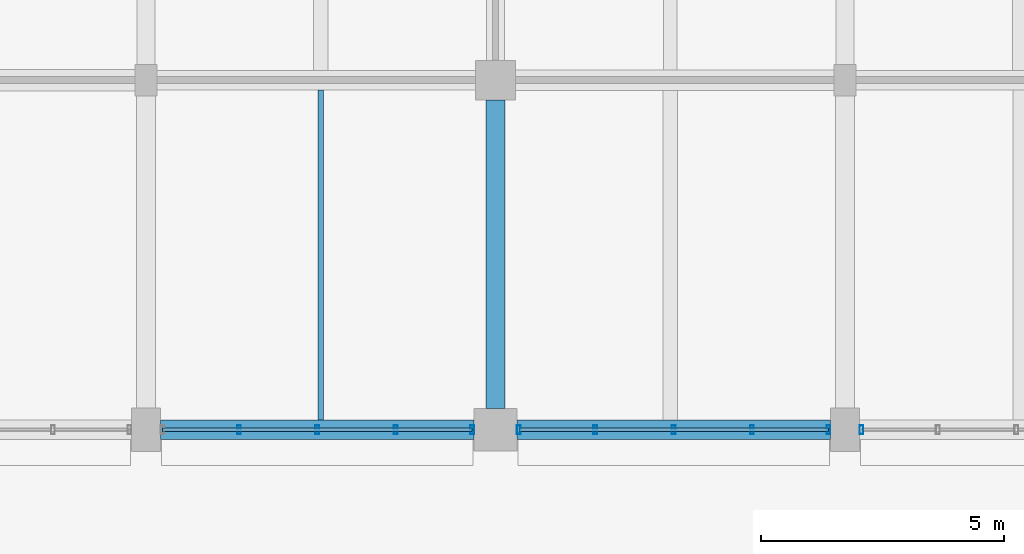
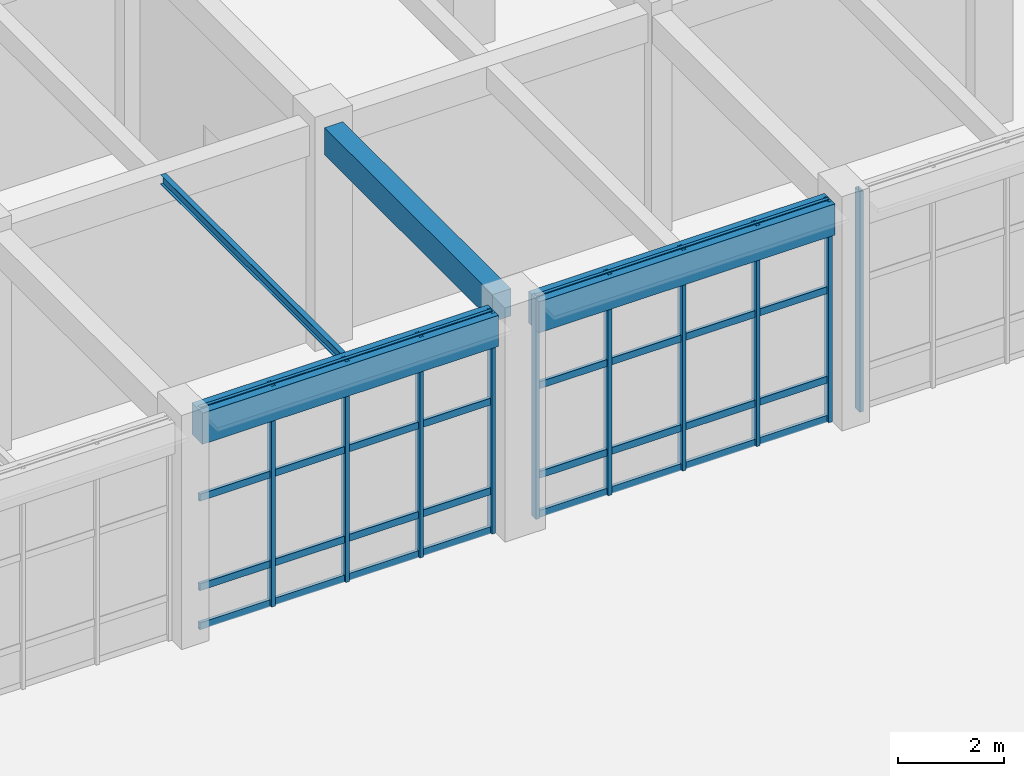
# One storey, part 85 of 160: 18 members, 4 beams, 3 elements without a shape of their own.
"""IFC4 building model written with IfcOpenShell, lengths in metres."""

from ifc_helpers import new_model, si_unit, direction, frame, origin, origin_2d, place, context, subcontext, project, spatial, rectangle, hollow_rectangle, i_section, extrude, material, material_profile, profile_set, type_object, element, aggregate, save


model = new_model("IFC4")

# Units and contexts
model_context = context("Model", 3, precision=1e-05, world=origin(), true_north=direction((0.0, 1.0)))
body_context = subcontext(model_context, "Body", "Model", "MODEL_VIEW")
ifc_project = project(units=[si_unit("LENGTHUNIT", "METRE"), si_unit("AREAUNIT", "SQUARE_METRE"), si_unit("VOLUMEUNIT", "CUBIC_METRE"), si_unit("PLANEANGLEUNIT", "RADIAN"), si_unit("MASSUNIT", "GRAM", prefix="KILO")], contexts=[model_context])

# Site, building, storey
site_placement = place(None, origin())
site = spatial("IfcSite", under=ifc_project, at=site_placement, CompositionType="ELEMENT")
building_placement = place(site_placement, origin())
building = spatial("IfcBuilding", under=site, at=building_placement, Name="Thalmaran Polytechnic", CompositionType="ELEMENT")
storey_placement = place(building_placement, origin())
storey = spatial("IfcBuildingStorey", under=building, at=storey_placement, Name="L00", CompositionType="ELEMENT", Elevation=0.0)

# Beams
ifc_material_1 = material(Name="Concrete C40/50", Category="concrete")
ifc_material_profile_1 = material_profile(ifc_material_1, rectangle(XDim=0.39990234375, YDim=0.6298828125, at=origin_2d()), Name="RC 400x630")
ifc_profile_set_1 = profile_set([ifc_material_profile_1], Name="Concrete C40/50")
beam_type_1 = type_object("IfcBeamType", Name="BM-RC07", PredefinedType="BEAM", material=ifc_profile_set_1)
beam_1_placement = place(storey_placement, frame((115.199951171875, 94.0400390625, 4.77490234375), z_axis=(0.0, 1.0, 0.0), x_axis=(-1.0, 0.0, 0.0)))
element("IfcBeam", 1, at=beam_1_placement, inside=storey, type_object=beam_type_1, Name="Grid Beam B07 L00 Y(16,13)", PredefinedType="BEAM", context=body_context, shape_type="SweptSolid", body=[
    extrude(rectangle(XDim=0.39990234375, YDim=0.6298828125, at=origin_2d()), origin(), (0.0, 0.0, 1.0), 6.349853515625),
])
ifc_material_2 = material(Name="Steel S355", Category="steel")
ifc_material_profile_2 = material_profile(ifc_material_2, i_section(OverallWidth=0.110107421875, OverallDepth=0.219970703125, WebThickness=0.005859375, FlangeThickness=0.00927734375, at=origin_2d()), Name="IPE 220")
ifc_profile_set_2 = profile_set([ifc_material_profile_2], Name="Steel S355")
beam_type_2 = type_object("IfcBeamType", Name="BM-SJ04", PredefinedType="JOIST", material=ifc_profile_set_2)
beam_2_placement = place(storey_placement, frame((111.60009765625, 93.800048828125, 4.97998046875), z_axis=(0.0, 1.0, 0.0), x_axis=(-1.0, 0.0, 0.0)))
element("IfcBeam", 2, at=beam_2_placement, inside=storey, type_object=beam_type_2, Name="Secondary Floor Rib SJ04 L00 (15,13)", PredefinedType="JOIST", context=body_context, shape_type="SweptSolid", body=[
    extrude(i_section(OverallWidth=0.110107421875, OverallDepth=0.219970703125, WebThickness=0.005859375, FlangeThickness=0.00927734375, at=origin_2d()), origin(), (0.0, 0.0, 1.0), 6.800048828125),
])
ifc_material_profile_3 = material_profile(ifc_material_1, rectangle(XDim=0.39990234375, YDim=0.719970703125, at=origin_2d()), Name="RC 400x720")
ifc_profile_set_3 = profile_set([ifc_material_profile_3], Name="Concrete C40/50")
beam_type_3 = type_object("IfcBeamType", Name="BM-SP01", PredefinedType="SPANDREL", material=ifc_profile_set_3)
beam_3_placement = place(storey_placement, frame((108.300048828125, 93.60009765625, 4.72998046875), z_axis=(1.0, 0.0, 0.0), x_axis=(0.0, 1.0, 0.0)))
element("IfcBeam", 3, at=beam_3_placement, inside=storey, type_object=beam_type_3, Name="Grid Beam SP01 L00 X(15,13)", PredefinedType="SPANDREL", context=body_context, shape_type="SweptSolid", body=[
    extrude(rectangle(XDim=0.39990234375, YDim=0.719970703125, at=origin_2d()), origin(), (0.0, 0.0, 1.0), 6.4599609375),
])
beam_4_placement = place(storey_placement, frame((115.639892578125, 93.60009765625, 4.72998046875), z_axis=(1.0, 0.0, 0.0), x_axis=(0.0, 1.0, 0.0)))
element("IfcBeam", 4, at=beam_4_placement, inside=storey, type_object=beam_type_3, Name="Grid Beam SP01 L00 X(16,13)", PredefinedType="SPANDREL", context=body_context, shape_type="SweptSolid", body=[
    extrude(rectangle(XDim=0.39990234375, YDim=0.719970703125, at=origin_2d()), origin(), (0.0, 0.0, 1.0), 6.460205078125),
])

# Curtain wall, member
ifc_material_3 = material(Name="Aluminium 6063-T6", Category="aluminium")
curtain_wall_type = type_object("IfcCurtainWallType", Name="CW-UC01", PredefinedType="USERDEFINED", material=ifc_material_3)
curtain_wall_1_placement = place(storey_placement, origin())
curtain_wall_1 = element("IfcCurtainWall", 5, at=curtain_wall_1_placement, inside=storey, type_object=curtain_wall_type, Name="Curtain Wall CW-L00-072", ObjectType="UNITISED CURTAIN WALL", PredefinedType="USERDEFINED")
ifc_material_profile_4 = material_profile(ifc_material_3, hollow_rectangle(XDim=0.080078125, YDim=0.179931640625, WallThickness=0.0048828125, at=origin_2d()), Name="RHS 180x80x5.0")
ifc_profile_set_4 = profile_set([ifc_material_profile_4], Name="Aluminium 6063-T6")
member_type_1 = type_object("IfcMemberType", Name="CW-MUL1", PredefinedType="MULLION", material=ifc_profile_set_4)
member_1_placement = place(storey_placement, frame((122.739990234375, 93.60009765625, 0.0), z_axis=(0.0, 0.0, 1.0), x_axis=(1.0, 0.0, 0.0)))
member_1 = element("IfcMember", 6, at=member_1_placement, type_object=member_type_1, Name="CW-L00-072 Mullion 5", PredefinedType="MULLION", context=body_context, shape_type="SweptSolid", body=[
    extrude(hollow_rectangle(XDim=0.080078125, YDim=0.179931640625, WallThickness=0.0048828125, at=origin_2d()), origin(), (0.0, 0.0, 1.0), 5.090087890625),
])
aggregate(curtain_wall_1, [member_1])

# Curtain wall, members
curtain_wall_2_placement = place(storey_placement, origin())
curtain_wall_2 = element("IfcCurtainWall", 7, at=curtain_wall_2_placement, inside=storey, type_object=curtain_wall_type, Name="Curtain Wall CW-L00-073", ObjectType="UNITISED CURTAIN WALL", PredefinedType="USERDEFINED")
member_2_placement = place(storey_placement, frame((122.06005859375, 93.60009765625, 0.0), z_axis=(0.0, 0.0, 1.0), x_axis=(1.0, 0.0, 0.0)))
member_2 = element("IfcMember", 8, at=member_2_placement, type_object=member_type_1, Name="CW-L00-073 Mullion 1", PredefinedType="MULLION", context=body_context, shape_type="SweptSolid", body=[
    extrude(hollow_rectangle(XDim=0.080078125, YDim=0.179931640625, WallThickness=0.0048828125, at=origin_2d()), origin(), (0.0, 0.0, 1.0), 5.090087890625),
])
member_3_placement = place(storey_placement, frame((120.485107421875, 93.60009765625, 0.0), z_axis=(0.0, 0.0, 1.0), x_axis=(1.0, 0.0, 0.0)))
member_3 = element("IfcMember", 9, at=member_3_placement, type_object=member_type_1, Name="CW-L00-073 Mullion 2", PredefinedType="MULLION", context=body_context, shape_type="SweptSolid", body=[
    extrude(hollow_rectangle(XDim=0.080078125, YDim=0.179931640625, WallThickness=0.0048828125, at=origin_2d()), origin(), (0.0, 0.0, 1.0), 5.090087890625),
])
member_4_placement = place(storey_placement, frame((118.8701171875, 93.60009765625, 0.0), z_axis=(0.0, 0.0, 1.0), x_axis=(1.0, 0.0, 0.0)))
member_4 = element("IfcMember", 10, at=member_4_placement, type_object=member_type_1, Name="CW-L00-073 Mullion 3", PredefinedType="MULLION", context=body_context, shape_type="SweptSolid", body=[
    extrude(hollow_rectangle(XDim=0.080078125, YDim=0.179931640625, WallThickness=0.0048828125, at=origin_2d()), origin(), (0.0, 0.0, 1.0), 5.090087890625),
])
member_5_placement = place(storey_placement, frame((117.2548828125, 93.60009765625, 0.0), z_axis=(0.0, 0.0, 1.0), x_axis=(1.0, 0.0, 0.0)))
member_5 = element("IfcMember", 11, at=member_5_placement, type_object=member_type_1, Name="CW-L00-073 Mullion 4", PredefinedType="MULLION", context=body_context, shape_type="SweptSolid", body=[
    extrude(hollow_rectangle(XDim=0.080078125, YDim=0.179931640625, WallThickness=0.0048828125, at=origin_2d()), origin(), (0.0, 0.0, 1.0), 5.090087890625),
])
member_6_placement = place(storey_placement, frame((115.679931640625, 93.60009765625, 0.0), z_axis=(0.0, 0.0, 1.0), x_axis=(1.0, 0.0, 0.0)))
member_6 = element("IfcMember", 12, at=member_6_placement, type_object=member_type_1, Name="CW-L00-073 Mullion 5", PredefinedType="MULLION", context=body_context, shape_type="SweptSolid", body=[
    extrude(hollow_rectangle(XDim=0.080078125, YDim=0.179931640625, WallThickness=0.0048828125, at=origin_2d()), origin(), (0.0, 0.0, 1.0), 5.090087890625),
])

curtain_wall_3_placement = place(storey_placement, origin())
curtain_wall_3 = element("IfcCurtainWall", 13, at=curtain_wall_3_placement, inside=storey, type_object=curtain_wall_type, Name="Curtain Wall CW-L00-074", ObjectType="UNITISED CURTAIN WALL", PredefinedType="USERDEFINED")
member_7_placement = place(storey_placement, frame((114.719970703125, 93.60009765625, 0.0), z_axis=(0.0, 0.0, 1.0), x_axis=(1.0, 0.0, 0.0)))
member_7 = element("IfcMember", 14, at=member_7_placement, type_object=member_type_1, Name="CW-L00-074 Mullion 1", PredefinedType="MULLION", context=body_context, shape_type="SweptSolid", body=[
    extrude(hollow_rectangle(XDim=0.080078125, YDim=0.179931640625, WallThickness=0.0048828125, at=origin_2d()), origin(), (0.0, 0.0, 1.0), 5.090087890625),
])
member_8_placement = place(storey_placement, frame((113.14501953125, 93.60009765625, 0.0), z_axis=(0.0, 0.0, 1.0), x_axis=(1.0, 0.0, 0.0)))
member_8 = element("IfcMember", 15, at=member_8_placement, type_object=member_type_1, Name="CW-L00-074 Mullion 2", PredefinedType="MULLION", context=body_context, shape_type="SweptSolid", body=[
    extrude(hollow_rectangle(XDim=0.080078125, YDim=0.179931640625, WallThickness=0.0048828125, at=origin_2d()), origin(), (0.0, 0.0, 1.0), 5.090087890625),
])
member_9_placement = place(storey_placement, frame((111.530029296875, 93.60009765625, 0.0), z_axis=(0.0, 0.0, 1.0), x_axis=(1.0, 0.0, 0.0)))
member_9 = element("IfcMember", 16, at=member_9_placement, type_object=member_type_1, Name="CW-L00-074 Mullion 3", PredefinedType="MULLION", context=body_context, shape_type="SweptSolid", body=[
    extrude(hollow_rectangle(XDim=0.080078125, YDim=0.179931640625, WallThickness=0.0048828125, at=origin_2d()), origin(), (0.0, 0.0, 1.0), 5.090087890625),
])
member_10_placement = place(storey_placement, frame((109.9150390625, 93.60009765625, 0.0), z_axis=(0.0, 0.0, 1.0), x_axis=(1.0, 0.0, 0.0)))
member_10 = element("IfcMember", 17, at=member_10_placement, type_object=member_type_1, Name="CW-L00-074 Mullion 4", PredefinedType="MULLION", context=body_context, shape_type="SweptSolid", body=[
    extrude(hollow_rectangle(XDim=0.080078125, YDim=0.179931640625, WallThickness=0.0048828125, at=origin_2d()), origin(), (0.0, 0.0, 1.0), 5.090087890625),
])

# Member
ifc_material_profile_5 = material_profile(ifc_material_3, hollow_rectangle(XDim=0.070068359375, YDim=0.159912109375, WallThickness=0.00390625, at=origin_2d()), Name="AL 160x70x4.0")
ifc_profile_set_5 = profile_set([ifc_material_profile_5], Name="Aluminium 6063-T6")
member_type_2 = type_object("IfcMemberType", Name="CW-TRN1", PredefinedType="USERDEFINED", material=ifc_profile_set_5)
member_11_placement = place(storey_placement, frame((122.06005859375, 93.60009765625, 0.06005859375), z_axis=(-1.0, 0.0, 0.0), x_axis=(0.0, -1.0, 0.0)))
member_11 = element("IfcMember", 18, at=member_11_placement, type_object=member_type_2, Name="CW-L00-073 Transom 1", ObjectType="TRANSOM", PredefinedType="USERDEFINED", context=body_context, shape_type="SweptSolid", body=[
    extrude(hollow_rectangle(XDim=0.070068359375, YDim=0.159912109375, WallThickness=0.00390625, at=origin_2d()), origin(), (0.0, 0.0, 1.0), 6.380126953125),
])

member_12_placement = place(storey_placement, frame((122.06005859375, 93.60009765625, 0.9599609375), z_axis=(-1.0, 0.0, 0.0), x_axis=(0.0, -1.0, 0.0)))
member_12 = element("IfcMember", 19, at=member_12_placement, type_object=member_type_2, Name="CW-L00-073 Transom 2", ObjectType="TRANSOM", PredefinedType="USERDEFINED", context=body_context, shape_type="SweptSolid", body=[
    extrude(hollow_rectangle(XDim=0.070068359375, YDim=0.159912109375, WallThickness=0.00390625, at=origin_2d()), origin(), (0.0, 0.0, 1.0), 6.380126953125),
])

member_13_placement = place(storey_placement, frame((122.06005859375, 93.60009765625, 3.02490234375), z_axis=(-1.0, 0.0, 0.0), x_axis=(0.0, -1.0, 0.0)))
member_13 = element("IfcMember", 20, at=member_13_placement, type_object=member_type_2, Name="CW-L00-073 Transom 3", ObjectType="TRANSOM", PredefinedType="USERDEFINED", context=body_context, shape_type="SweptSolid", body=[
    extrude(hollow_rectangle(XDim=0.070068359375, YDim=0.159912109375, WallThickness=0.00390625, at=origin_2d()), origin(), (0.0, 0.0, 1.0), 6.380126953125),
])

member_14_placement = place(storey_placement, frame((122.06005859375, 93.60009765625, 5.030029296875), z_axis=(-1.0, 0.0, 0.0), x_axis=(0.0, -1.0, 0.0)))
member_14 = element("IfcMember", 21, at=member_14_placement, type_object=member_type_2, Name="CW-L00-073 Transom 4", ObjectType="TRANSOM", PredefinedType="USERDEFINED", context=body_context, shape_type="SweptSolid", body=[
    extrude(hollow_rectangle(XDim=0.070068359375, YDim=0.159912109375, WallThickness=0.00390625, at=origin_2d()), origin(), (0.0, 0.0, 1.0), 6.380126953125),
])

aggregate(curtain_wall_2, [member_2, member_3, member_4, member_5, member_6, member_11, member_12, member_13, member_14])

member_15_placement = place(storey_placement, frame((114.719970703125, 93.60009765625, 0.06005859375), z_axis=(-1.0, 0.0, 0.0), x_axis=(0.0, -1.0, 0.0)))
member_15 = element("IfcMember", 22, at=member_15_placement, type_object=member_type_2, Name="CW-L00-074 Transom 1", ObjectType="TRANSOM", PredefinedType="USERDEFINED", context=body_context, shape_type="SweptSolid", body=[
    extrude(hollow_rectangle(XDim=0.070068359375, YDim=0.159912109375, WallThickness=0.00390625, at=origin_2d()), origin(), (0.0, 0.0, 1.0), 6.3798828125),
])

member_16_placement = place(storey_placement, frame((114.719970703125, 93.60009765625, 0.9599609375), z_axis=(-1.0, 0.0, 0.0), x_axis=(0.0, -1.0, 0.0)))
member_16 = element("IfcMember", 23, at=member_16_placement, type_object=member_type_2, Name="CW-L00-074 Transom 2", ObjectType="TRANSOM", PredefinedType="USERDEFINED", context=body_context, shape_type="SweptSolid", body=[
    extrude(hollow_rectangle(XDim=0.070068359375, YDim=0.159912109375, WallThickness=0.00390625, at=origin_2d()), origin(), (0.0, 0.0, 1.0), 6.3798828125),
])

member_17_placement = place(storey_placement, frame((114.719970703125, 93.60009765625, 3.02490234375), z_axis=(-1.0, 0.0, 0.0), x_axis=(0.0, -1.0, 0.0)))
member_17 = element("IfcMember", 24, at=member_17_placement, type_object=member_type_2, Name="CW-L00-074 Transom 3", ObjectType="TRANSOM", PredefinedType="USERDEFINED", context=body_context, shape_type="SweptSolid", body=[
    extrude(hollow_rectangle(XDim=0.070068359375, YDim=0.159912109375, WallThickness=0.00390625, at=origin_2d()), origin(), (0.0, 0.0, 1.0), 6.3798828125),
])

member_18_placement = place(storey_placement, frame((114.719970703125, 93.60009765625, 5.030029296875), z_axis=(-1.0, 0.0, 0.0), x_axis=(0.0, -1.0, 0.0)))
member_18 = element("IfcMember", 25, at=member_18_placement, type_object=member_type_2, Name="CW-L00-074 Transom 4", ObjectType="TRANSOM", PredefinedType="USERDEFINED", context=body_context, shape_type="SweptSolid", body=[
    extrude(hollow_rectangle(XDim=0.070068359375, YDim=0.159912109375, WallThickness=0.00390625, at=origin_2d()), origin(), (0.0, 0.0, 1.0), 6.3798828125),
])

aggregate(curtain_wall_3, [member_7, member_8, member_9, member_10, member_15, member_16, member_17, member_18])

save(model, "model.ifc")
